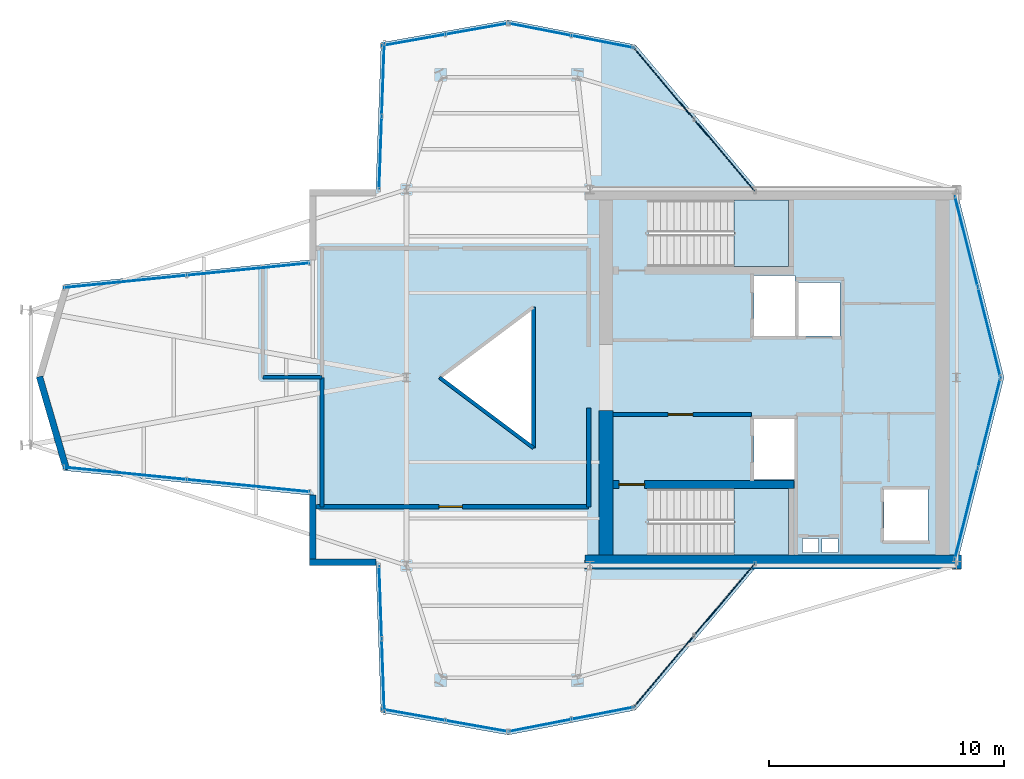
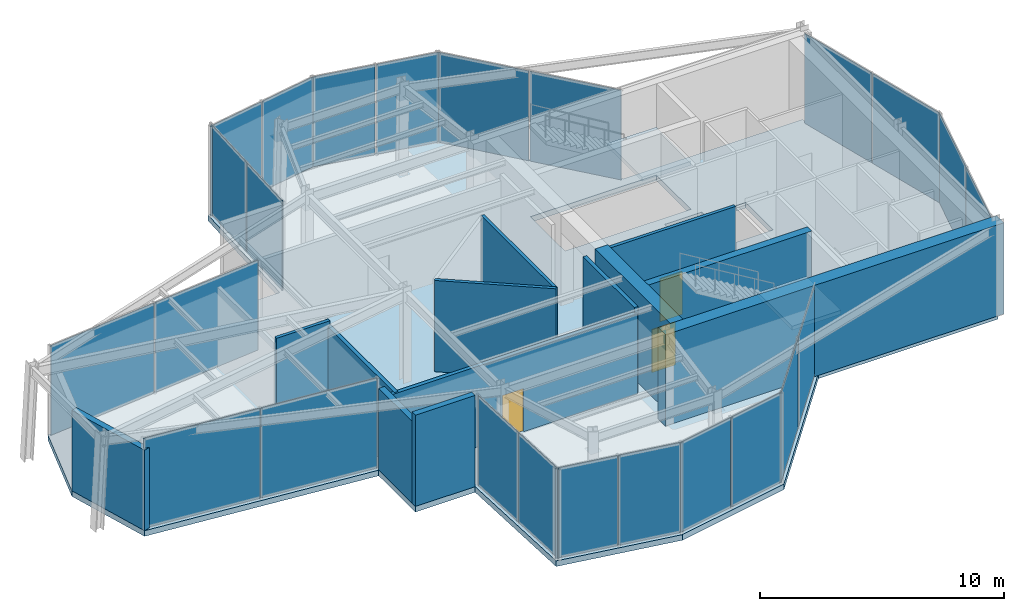
# One storey, part 9 of 15: 24 plates, 13 walls, 3 doors, 3 slabs, 3 openings, 14 elements without a shape of their own.
"""IFC4 building model written with IfcOpenShell, lengths in metres."""

from ifc_helpers import new_model, si_unit, direction, frame, frame_2d, origin, origin_2d, place, context, subcontext, project, spatial, polyline, rectangle, outline, extrude, material, layer, layer_set, type_object, element, fill, aggregate, save


model = new_model("IFC4")

# Units and contexts
model_context = context("Model", 3, precision=1e-05, world=origin(), true_north=direction((0.0, 1.0)))
body_context = subcontext(model_context, "Body", "Model", "MODEL_VIEW")
ifc_project = project(units=[si_unit("LENGTHUNIT", "METRE"), si_unit("AREAUNIT", "SQUARE_METRE"), si_unit("VOLUMEUNIT", "CUBIC_METRE"), si_unit("PLANEANGLEUNIT", "RADIAN"), si_unit("MASSUNIT", "GRAM", prefix="KILO")], contexts=[model_context])

# Site, building, storey
site_placement = place(None, origin())
site = spatial("IfcSite", under=ifc_project, at=site_placement, CompositionType="ELEMENT")
building_placement = place(site_placement, origin())
building = spatial("IfcBuilding", under=site, at=building_placement, Name="Veymaron Broadcast Tower", CompositionType="ELEMENT")
storey_placement = place(building_placement, frame((0.0, 0.0, 262.050048828125)))
storey = spatial("IfcBuildingStorey", under=building, at=storey_placement, Name="L61", CompositionType="ELEMENT", Elevation=262.050048828125)

# Curtain wall, plates
ifc_material_1 = material(Name="Anodised aluminium AA 6063-T6 and laminated low-E dark glass", Category="aluminium")
ifc_layer_1 = layer(ifc_material_1, 0.179931640625)
ifc_layer_set_1 = layer_set([ifc_layer_1], Name="Anodised aluminium AA 6063-T6 and laminated low-E dark glass")
curtain_wall_type = type_object("IfcCurtainWallType", Name="CW-SYS-04", PredefinedType="NOTDEFINED", material=ifc_layer_set_1)
curtain_wall_1_placement = place(storey_placement, origin())
curtain_wall_1 = element("IfcCurtainWall", 1, at=curtain_wall_1_placement, inside=storey, type_object=curtain_wall_type, Name="L61 dark-glass curtain wall CW-L61-E2-1", PredefinedType="NOTDEFINED")
ifc_material_2 = material(Name="Triple-laminated solar-control dark glass IGU 36 mm", Category="glass")
ifc_layer_2 = layer(ifc_material_2, 0.035888671875)
ifc_layer_set_2 = layer_set([ifc_layer_2], Name="Triple-laminated solar-control dark glass IGU 36 mm")
plate_type = type_object("IfcPlateType", Name="CW-PNL-01", PredefinedType="CURTAIN_PANEL", material=ifc_layer_set_2)
plate_1_placement = place(storey_placement, frame((55.012451171875, 18.210205078125, 0.0400390625), z_axis=(0.0, 0.0, 1.0), x_axis=(0.244359748118, 0.969684646419, 0.0)))
plate_1 = element("IfcPlate", 2, at=plate_1_placement, type_object=plate_type, Name="CW-L61-E2-1 unitised curtain panel 0", PredefinedType="CURTAIN_PANEL", context=body_context, shape_type="SweptSolid", body=[
    extrude(rectangle(XDim=3.944091796875, YDim=0.035888671875, at=origin_2d()), origin(), (0.0, 0.0, 1.0), 4.47998046875),
])
plate_2_placement = place(storey_placement, frame((55.990966796875, 22.093017578125, 0.0400390625), z_axis=(0.0, 0.0, 1.0), x_axis=(0.244359748118, 0.969684646419, 0.0)))
plate_2 = element("IfcPlate", 3, at=plate_2_placement, type_object=plate_type, Name="CW-L61-E2-1 unitised curtain panel 1", PredefinedType="CURTAIN_PANEL", context=body_context, shape_type="SweptSolid", body=[
    extrude(rectangle(XDim=3.944091796875, YDim=0.035888671875, at=origin_2d()), origin(), (0.0, 0.0, 1.0), 4.47998046875),
])
aggregate(curtain_wall_1, [plate_1, plate_2])

curtain_wall_2_placement = place(storey_placement, origin())
curtain_wall_2 = element("IfcCurtainWall", 4, at=curtain_wall_2_placement, inside=storey, type_object=curtain_wall_type, Name="L61 dark-glass curtain wall CW-L61-E3-1", PredefinedType="NOTDEFINED")
plate_3_placement = place(storey_placement, frame((55.990966796875, 25.906982421875, 0.0400390625), z_axis=(0.0, 0.0, 1.0), x_axis=(-0.244359748118, 0.969684646419, 0.0)))
plate_3 = element("IfcPlate", 5, at=plate_3_placement, type_object=plate_type, Name="CW-L61-E3-1 unitised curtain panel 0", PredefinedType="CURTAIN_PANEL", context=body_context, shape_type="SweptSolid", body=[
    extrude(rectangle(XDim=3.944091796875, YDim=0.035888671875, at=origin_2d()), origin(), (0.0, 0.0, 1.0), 4.47998046875),
])
plate_4_placement = place(storey_placement, frame((55.012451171875, 29.789794921875, 0.0400390625), z_axis=(0.0, 0.0, 1.0), x_axis=(-0.244359748118, 0.969684646419, 0.0)))
plate_4 = element("IfcPlate", 6, at=plate_4_placement, type_object=plate_type, Name="CW-L61-E3-1 unitised curtain panel 1", PredefinedType="CURTAIN_PANEL", context=body_context, shape_type="SweptSolid", body=[
    extrude(rectangle(XDim=3.944091796875, YDim=0.035888671875, at=origin_2d()), origin(), (0.0, 0.0, 1.0), 4.47998046875),
])
aggregate(curtain_wall_2, [plate_3, plate_4])

curtain_wall_3_placement = place(storey_placement, origin())
curtain_wall_3 = element("IfcCurtainWall", 7, at=curtain_wall_3_placement, inside=storey, type_object=curtain_wall_type, Name="L61 dark-glass curtain wall CW-L61-E5-1", PredefinedType="NOTDEFINED")
plate_5_placement = place(storey_placement, frame((44.722900390625, 33.44775390625, 0.0400390625), z_axis=(0.0, 0.0, 1.0), x_axis=(-0.644390598453, 0.764696512759, 0.0)))
plate_5 = element("IfcPlate", 8, at=plate_5_placement, type_object=plate_type, Name="CW-L61-E5-1 unitised curtain panel 0", PredefinedType="CURTAIN_PANEL", context=body_context, shape_type="SweptSolid", body=[
    extrude(rectangle(XDim=3.96240234375, YDim=0.035888671875, at=origin_2d()), origin(), (0.0, 0.0, 1.0), 4.47998046875),
])
plate_6_placement = place(storey_placement, frame((42.130615234375, 36.523681640625, 0.0400390625), z_axis=(0.0, 0.0, 1.0), x_axis=(-0.644390598453, 0.764696512759, 0.0)))
plate_6 = element("IfcPlate", 9, at=plate_6_placement, type_object=plate_type, Name="CW-L61-E5-1 unitised curtain panel 1", PredefinedType="CURTAIN_PANEL", context=body_context, shape_type="SweptSolid", body=[
    extrude(rectangle(XDim=3.96240234375, YDim=0.035888671875, at=origin_2d()), origin(), (0.0, 0.0, 1.0), 4.47998046875),
])
aggregate(curtain_wall_3, [plate_5, plate_6])

curtain_wall_4_placement = place(storey_placement, origin())
curtain_wall_4 = element("IfcCurtainWall", 10, at=curtain_wall_4_placement, inside=storey, type_object=curtain_wall_type, Name="L61 dark-glass curtain wall CW-L61-E6-1", PredefinedType="NOTDEFINED")
plate_7_placement = place(storey_placement, frame((39.5615234375, 38.278564453125, 0.0400390625), z_axis=(0.0, 0.0, 1.0), x_axis=(-0.981503759704, 0.191442862723, 0.0)))
plate_7 = element("IfcPlate", 11, at=plate_7_placement, type_object=plate_type, Name="CW-L61-E6-1 unitised curtain panel 0", PredefinedType="CURTAIN_PANEL", context=body_context, shape_type="SweptSolid", body=[
    extrude(rectangle(XDim=2.697998046875, YDim=0.035888671875, at=origin_2d()), origin(), (0.0, 0.0, 1.0), 4.47998046875),
])
plate_8_placement = place(storey_placement, frame((36.8544921875, 38.806640625, 0.0400390625), z_axis=(0.0, 0.0, 1.0), x_axis=(-0.981503759704, 0.191442862723, 0.0)))
plate_8 = element("IfcPlate", 12, at=plate_8_placement, type_object=plate_type, Name="CW-L61-E6-1 unitised curtain panel 1", PredefinedType="CURTAIN_PANEL", context=body_context, shape_type="SweptSolid", body=[
    extrude(rectangle(XDim=2.697998046875, YDim=0.035888671875, at=origin_2d()), origin(), (0.0, 0.0, 1.0), 4.47998046875),
])
aggregate(curtain_wall_4, [plate_7, plate_8])

curtain_wall_5_placement = place(storey_placement, origin())
curtain_wall_5 = element("IfcCurtainWall", 13, at=curtain_wall_5_placement, inside=storey, type_object=curtain_wall_type, Name="L61 dark-glass curtain wall CW-L61-E7-1", PredefinedType="NOTDEFINED")
plate_9_placement = place(storey_placement, frame((34.198974609375, 38.830078125, 0.0400390625), z_axis=(0.0, 0.0, 1.0), x_axis=(-0.984640609019, -0.174593445095, 0.0)))
plate_9 = element("IfcPlate", 14, at=plate_9_placement, type_object=plate_type, Name="CW-L61-E7-1 unitised curtain panel 0", PredefinedType="CURTAIN_PANEL", context=body_context, shape_type="SweptSolid", body=[
    extrude(rectangle(XDim=2.689208984375, YDim=0.035888671875, at=origin_2d()), origin(), (0.0, 0.0, 1.0), 4.47998046875),
])
plate_10_placement = place(storey_placement, frame((31.491943359375, 38.35009765625, 0.0400390625), z_axis=(0.0, 0.0, 1.0), x_axis=(-0.984640609019, -0.174593445095, 0.0)))
plate_10 = element("IfcPlate", 15, at=plate_10_placement, type_object=plate_type, Name="CW-L61-E7-1 unitised curtain panel 1", PredefinedType="CURTAIN_PANEL", context=body_context, shape_type="SweptSolid", body=[
    extrude(rectangle(XDim=2.689208984375, YDim=0.035888671875, at=origin_2d()), origin(), (0.0, 0.0, 1.0), 4.47998046875),
])
aggregate(curtain_wall_5, [plate_9, plate_10])

curtain_wall_6_placement = place(storey_placement, origin())
curtain_wall_6 = element("IfcCurtainWall", 16, at=curtain_wall_6_placement, inside=storey, type_object=curtain_wall_type, Name="L61 dark-glass curtain wall CW-L61-E8-1", PredefinedType="NOTDEFINED")
plate_11_placement = place(storey_placement, frame((30.19873046875, 36.680908203125, 0.0400390625), z_axis=(0.0, 0.0, 1.0), x_axis=(-0.035475098677, -0.99937056059, 0.0)))
plate_11 = element("IfcPlate", 17, at=plate_11_placement, type_object=plate_type, Name="CW-L61-E8-1 unitised curtain panel 0", PredefinedType="CURTAIN_PANEL", context=body_context, shape_type="SweptSolid", body=[
    extrude(rectangle(XDim=3.06591796875, YDim=0.035888671875, at=origin_2d()), origin(), (0.0, 0.0, 1.0), 4.47998046875),
])
plate_12_placement = place(storey_placement, frame((30.087646484375, 33.556884765625, 0.0400390625), z_axis=(0.0, 0.0, 1.0), x_axis=(-0.035475098677, -0.99937056059, 0.0)))
plate_12 = element("IfcPlate", 18, at=plate_12_placement, type_object=plate_type, Name="CW-L61-E8-1 unitised curtain panel 1", PredefinedType="CURTAIN_PANEL", context=body_context, shape_type="SweptSolid", body=[
    extrude(rectangle(XDim=3.06591796875, YDim=0.035888671875, at=origin_2d()), origin(), (0.0, 0.0, 1.0), 4.47998046875),
])
aggregate(curtain_wall_6, [plate_11, plate_12])

curtain_wall_7_placement = place(storey_placement, origin())
curtain_wall_7 = element("IfcCurtainWall", 19, at=curtain_wall_7_placement, inside=storey, type_object=curtain_wall_type, Name="L61 dark-glass curtain wall CW-L61-E11-1", PredefinedType="NOTDEFINED")
plate_13_placement = place(storey_placement, frame((24.4619140625, 28.603515625, 0.0400390625), z_axis=(0.0, 0.0, 1.0), x_axis=(-0.995013879707, -0.099736548921, 0.0)))
plate_13 = element("IfcPlate", 20, at=plate_13_placement, type_object=plate_type, Name="CW-L61-E11-1 unitised curtain panel 0", PredefinedType="CURTAIN_PANEL", context=body_context, shape_type="SweptSolid", body=[
    extrude(rectangle(XDim=5.1982421875, YDim=0.035888671875, at=origin_2d()), origin(), (0.0, 0.0, 1.0), 4.47998046875),
])
plate_14_placement = place(storey_placement, frame((19.22998046875, 28.0791015625, 0.0400390625), z_axis=(0.0, 0.0, 1.0), x_axis=(-0.995013879707, -0.099736548921, 0.0)))
plate_14 = element("IfcPlate", 21, at=plate_14_placement, type_object=plate_type, Name="CW-L61-E11-1 unitised curtain panel 1", PredefinedType="CURTAIN_PANEL", context=body_context, shape_type="SweptSolid", body=[
    extrude(rectangle(XDim=5.1982421875, YDim=0.035888671875, at=origin_2d()), origin(), (0.0, 0.0, 1.0), 4.47998046875),
])
aggregate(curtain_wall_7, [plate_13, plate_14])

curtain_wall_8_placement = place(storey_placement, origin())
curtain_wall_8 = element("IfcCurtainWall", 22, at=curtain_wall_8_placement, inside=storey, type_object=curtain_wall_type, Name="L61 dark-glass curtain wall CW-L61-E14-1", PredefinedType="NOTDEFINED")
plate_15_placement = place(storey_placement, frame((19.22998046875, 19.9208984375, 0.0400390625), z_axis=(0.0, 0.0, 1.0), x_axis=(0.995013879707, -0.099736548921, 0.0)))
plate_15 = element("IfcPlate", 23, at=plate_15_placement, type_object=plate_type, Name="CW-L61-E14-1 unitised curtain panel 0", PredefinedType="CURTAIN_PANEL", context=body_context, shape_type="SweptSolid", body=[
    extrude(rectangle(XDim=5.1982421875, YDim=0.035888671875, at=origin_2d()), origin(), (0.0, 0.0, 1.0), 4.47998046875),
])
plate_16_placement = place(storey_placement, frame((24.4619140625, 19.396484375, 0.0400390625), z_axis=(0.0, 0.0, 1.0), x_axis=(0.995013879707, -0.099736548921, 0.0)))
plate_16 = element("IfcPlate", 24, at=plate_16_placement, type_object=plate_type, Name="CW-L61-E14-1 unitised curtain panel 1", PredefinedType="CURTAIN_PANEL", context=body_context, shape_type="SweptSolid", body=[
    extrude(rectangle(XDim=5.1982421875, YDim=0.035888671875, at=origin_2d()), origin(), (0.0, 0.0, 1.0), 4.47998046875),
])
aggregate(curtain_wall_8, [plate_15, plate_16])

curtain_wall_9_placement = place(storey_placement, origin())
curtain_wall_9 = element("IfcCurtainWall", 25, at=curtain_wall_9_placement, inside=storey, type_object=curtain_wall_type, Name="L61 dark-glass curtain wall CW-L61-E17-1", PredefinedType="NOTDEFINED")
plate_17_placement = place(storey_placement, frame((30.087646484375, 14.443115234375, 0.0400390625), z_axis=(0.0, 0.0, 1.0), x_axis=(0.035475098677, -0.99937056059, 0.0)))
plate_17 = element("IfcPlate", 26, at=plate_17_placement, type_object=plate_type, Name="CW-L61-E17-1 unitised curtain panel 0", PredefinedType="CURTAIN_PANEL", context=body_context, shape_type="SweptSolid", body=[
    extrude(rectangle(XDim=3.06591796875, YDim=0.035888671875, at=origin_2d()), origin(), (0.0, 0.0, 1.0), 4.47998046875),
])
plate_18_placement = place(storey_placement, frame((30.19873046875, 11.319091796875, 0.0400390625), z_axis=(0.0, 0.0, 1.0), x_axis=(0.035475098677, -0.99937056059, 0.0)))
plate_18 = element("IfcPlate", 27, at=plate_18_placement, type_object=plate_type, Name="CW-L61-E17-1 unitised curtain panel 1", PredefinedType="CURTAIN_PANEL", context=body_context, shape_type="SweptSolid", body=[
    extrude(rectangle(XDim=3.06591796875, YDim=0.035888671875, at=origin_2d()), origin(), (0.0, 0.0, 1.0), 4.47998046875),
])
aggregate(curtain_wall_9, [plate_17, plate_18])

curtain_wall_10_placement = place(storey_placement, origin())
curtain_wall_10 = element("IfcCurtainWall", 28, at=curtain_wall_10_placement, inside=storey, type_object=curtain_wall_type, Name="L61 dark-glass curtain wall CW-L61-E18-1", PredefinedType="NOTDEFINED")
plate_19_placement = place(storey_placement, frame((31.491943359375, 9.64990234375, 0.0400390625), z_axis=(0.0, 0.0, 1.0), x_axis=(0.984640609019, -0.174593445095, 0.0)))
plate_19 = element("IfcPlate", 29, at=plate_19_placement, type_object=plate_type, Name="CW-L61-E18-1 unitised curtain panel 0", PredefinedType="CURTAIN_PANEL", context=body_context, shape_type="SweptSolid", body=[
    extrude(rectangle(XDim=2.689208984375, YDim=0.035888671875, at=origin_2d()), origin(), (0.0, 0.0, 1.0), 4.47998046875),
])
plate_20_placement = place(storey_placement, frame((34.198974609375, 9.169921875, 0.0400390625), z_axis=(0.0, 0.0, 1.0), x_axis=(0.984640609019, -0.174593445095, 0.0)))
plate_20 = element("IfcPlate", 30, at=plate_20_placement, type_object=plate_type, Name="CW-L61-E18-1 unitised curtain panel 1", PredefinedType="CURTAIN_PANEL", context=body_context, shape_type="SweptSolid", body=[
    extrude(rectangle(XDim=2.689208984375, YDim=0.035888671875, at=origin_2d()), origin(), (0.0, 0.0, 1.0), 4.47998046875),
])
aggregate(curtain_wall_10, [plate_19, plate_20])

curtain_wall_11_placement = place(storey_placement, origin())
curtain_wall_11 = element("IfcCurtainWall", 31, at=curtain_wall_11_placement, inside=storey, type_object=curtain_wall_type, Name="L61 dark-glass curtain wall CW-L61-E19-1", PredefinedType="NOTDEFINED")
plate_21_placement = place(storey_placement, frame((36.8544921875, 9.193359375, 0.0400390625), z_axis=(0.0, 0.0, 1.0), x_axis=(0.981503759704, 0.191442862723, 0.0)))
plate_21 = element("IfcPlate", 32, at=plate_21_placement, type_object=plate_type, Name="CW-L61-E19-1 unitised curtain panel 0", PredefinedType="CURTAIN_PANEL", context=body_context, shape_type="SweptSolid", body=[
    extrude(rectangle(XDim=2.697998046875, YDim=0.035888671875, at=origin_2d()), origin(), (0.0, 0.0, 1.0), 4.47998046875),
])
plate_22_placement = place(storey_placement, frame((39.5615234375, 9.721435546875, 0.0400390625), z_axis=(0.0, 0.0, 1.0), x_axis=(0.981503759704, 0.191442862723, 0.0)))
plate_22 = element("IfcPlate", 33, at=plate_22_placement, type_object=plate_type, Name="CW-L61-E19-1 unitised curtain panel 1", PredefinedType="CURTAIN_PANEL", context=body_context, shape_type="SweptSolid", body=[
    extrude(rectangle(XDim=2.697998046875, YDim=0.035888671875, at=origin_2d()), origin(), (0.0, 0.0, 1.0), 4.47998046875),
])
aggregate(curtain_wall_11, [plate_21, plate_22])

curtain_wall_12_placement = place(storey_placement, origin())
curtain_wall_12 = element("IfcCurtainWall", 34, at=curtain_wall_12_placement, inside=storey, type_object=curtain_wall_type, Name="L61 dark-glass curtain wall CW-L61-E20-1", PredefinedType="NOTDEFINED")
plate_23_placement = place(storey_placement, frame((42.130615234375, 11.476318359375, 0.0400390625), z_axis=(0.0, 0.0, 1.0), x_axis=(0.644390598453, 0.764696512759, 0.0)))
plate_23 = element("IfcPlate", 35, at=plate_23_placement, type_object=plate_type, Name="CW-L61-E20-1 unitised curtain panel 0", PredefinedType="CURTAIN_PANEL", context=body_context, shape_type="SweptSolid", body=[
    extrude(rectangle(XDim=3.96240234375, YDim=0.035888671875, at=origin_2d()), origin(), (0.0, 0.0, 1.0), 4.47998046875),
])
plate_24_placement = place(storey_placement, frame((44.722900390625, 14.55224609375, 0.0400390625), z_axis=(0.0, 0.0, 1.0), x_axis=(0.644390598453, 0.764696512759, 0.0)))
plate_24 = element("IfcPlate", 36, at=plate_24_placement, type_object=plate_type, Name="CW-L61-E20-1 unitised curtain panel 1", PredefinedType="CURTAIN_PANEL", context=body_context, shape_type="SweptSolid", body=[
    extrude(rectangle(XDim=3.96240234375, YDim=0.035888671875, at=origin_2d()), origin(), (0.0, 0.0, 1.0), 4.47998046875),
])
aggregate(curtain_wall_12, [plate_23, plate_24])

# Slab
ifc_material_3 = material(Name="Concrete C40/50", Category="concrete")
ifc_layer_3 = layer(ifc_material_3, 0.280029296875)
ifc_layer_set_3 = layer_set([ifc_layer_3], Name="Concrete C40/50")
slab_type_1 = type_object("IfcSlabType", Name="SLAB-FS3", PredefinedType="FLOOR", material=ifc_layer_set_3)
slab_1_placement = place(storey_placement, frame((0.0, 0.0, -0.280029296875)))
element("IfcSlab", 37, at=slab_1_placement, inside=storey, type_object=slab_type_1, Name="L61 structural floor slab", PredefinedType="FLOOR", context=body_context, shape_type="SweptSolid", body=[
    extrude(outline(polyline([(46.1259765625, 16.0), (54.60009765625, 16.0), (56.615966796875, 24.0), (54.60009765625, 32.0), (46.1259765625, 32.0), (40.94189453125, 38.152099609375), (35.528076171875, 39.2080078125), (30.1142578125, 38.248046875), (29.892333984375, 32.0), (27.06396484375, 32.0), (27.06396484375, 29.005126953125), (16.60009765625, 27.956298828125), (15.447998046875, 24.0), (16.60009765625, 20.043701171875), (27.06396484375, 18.994873046875), (27.06396484375, 16.0), (29.892333984375, 16.0), (30.1142578125, 9.751953125), (35.528076171875, 8.7919921875), (40.94189453125, 9.847900390625), (46.1259765625, 16.0)]), holes=[polyline([(45.969970703125, 28.330078125), (47.72998046875, 28.330078125), (47.72998046875, 25.77001953125), (45.969970703125, 25.77001953125), (45.969970703125, 28.330078125)]), polyline([(45.969970703125, 22.22998046875), (47.72998046875, 22.22998046875), (47.72998046875, 19.669921875), (45.969970703125, 19.669921875), (45.969970703125, 22.22998046875)]), polyline([(47.8701171875, 28.030029296875), (49.6298828125, 28.030029296875), (49.6298828125, 25.77001953125), (47.8701171875, 25.77001953125), (47.8701171875, 28.030029296875)]), polyline([(51.52001953125, 19.22998046875), (53.3798828125, 19.22998046875), (53.3798828125, 17.070068359375), (51.52001953125, 17.070068359375), (51.52001953125, 19.22998046875)]), polyline([(48.050048828125, 17.159912109375), (48.719970703125, 17.159912109375), (48.719970703125, 16.56005859375), (48.050048828125, 16.56005859375), (48.050048828125, 17.159912109375)]), polyline([(48.8798828125, 17.159912109375), (49.550048828125, 17.159912109375), (49.550048828125, 16.56005859375), (48.8798828125, 16.56005859375), (48.8798828125, 17.159912109375)]), polyline([(36.60009765625, 27.0), (36.60009765625, 21.0), (32.60009765625, 24.0), (36.60009765625, 27.0)]), polyline([(41.489990234375, 31.550048828125), (47.43994140625, 31.550048828125), (47.43994140625, 28.72998046875), (41.489990234375, 28.72998046875), (41.489990234375, 31.550048828125)]), polyline([(41.489990234375, 19.27001953125), (47.43994140625, 19.27001953125), (47.43994140625, 16.449951171875), (41.489990234375, 16.449951171875), (41.489990234375, 19.27001953125)])]), origin(), (0.0, 0.0, 1.0), 0.280029296875),
])

# Stair, slab
ifc_material_4 = material(Name="Concrete C50/60", Category="concrete")
stair_type_1 = type_object("IfcStairType", Name="STAIR-CORE-1", PredefinedType="HALF_TURN_STAIR", material=ifc_material_4)
stair_1_placement = place(storey_placement, origin())
stair_1 = element("IfcStair", 38, at=stair_1_placement, inside=storey, type_object=stair_type_1, Name="L61 North protected dog-leg exit stair ST1", PredefinedType="HALF_TURN_STAIR")
ifc_layer_4 = layer(ifc_material_4, 0.199951171875)
ifc_layer_set_4 = layer_set([ifc_layer_4], Name="Concrete C50/60")
slab_type_2 = type_object("IfcSlabType", Name="SLAB-STAIR-LDG", PredefinedType="LANDING", material=ifc_layer_set_4)
slab_2_placement = place(storey_placement, frame((0.0, 0.0, 2.199951171875)))
slab_2 = element("IfcSlab", 39, at=slab_2_placement, type_object=slab_type_2, Name="ST1 landing 1", PredefinedType="LANDING", context=body_context, shape_type="SweptSolid", body=[
    extrude(outline(polyline([(45.135009765625, 28.72998046875), (47.43994140625, 28.72998046875), (47.43994140625, 31.550048828125), (45.135009765625, 31.550048828125), (45.135009765625, 28.72998046875)])), origin(), (0.0, 0.0, 1.0), 0.199951171875),
])
aggregate(stair_1, [slab_2])

stair_type_2 = type_object("IfcStairType", Name="STAIR-CORE-2", PredefinedType="HALF_TURN_STAIR", material=ifc_material_4)
stair_2_placement = place(storey_placement, origin())
stair_2 = element("IfcStair", 40, at=stair_2_placement, inside=storey, type_object=stair_type_2, Name="L61 South protected dog-leg exit stair ST2", PredefinedType="HALF_TURN_STAIR")
slab_3_placement = place(storey_placement, frame((0.0, 0.0, 2.199951171875)))
slab_3 = element("IfcSlab", 41, at=slab_3_placement, type_object=slab_type_2, Name="ST2 landing 1", PredefinedType="LANDING", context=body_context, shape_type="SweptSolid", body=[
    extrude(outline(polyline([(45.135009765625, 16.449951171875), (47.43994140625, 16.449951171875), (47.43994140625, 19.27001953125), (45.135009765625, 19.27001953125), (45.135009765625, 16.449951171875)])), origin(), (0.0, 0.0, 1.0), 0.199951171875),
])
aggregate(stair_2, [slab_3])

# Walls
ifc_material_5 = material(Name="Precast concrete C40/50", Category="concrete")
ifc_layer_5 = layer(ifc_material_5, 0.280029296875)
ifc_layer_set_5 = layer_set([ifc_layer_5], Name="Precast concrete C40/50")
wall_type_1 = type_object("IfcWallType", Name="WALL-EXT-280", PredefinedType="STANDARD", material=ifc_layer_set_5)
wall_1_placement = place(storey_placement, frame((15.58251953125, 24.0390625, 0.0), z_axis=(0.0, 0.0, 1.0), x_axis=(0.2795381076, -0.960134598064, 0.0)))
element("IfcWall", 42, at=wall_1_placement, inside=storey, type_object=wall_type_1, Name="L61 notched corner facade pier 13-1", PredefinedType="STANDARD", context=body_context, shape_type="SweptSolid", body=[
    extrude(rectangle(XDim=4.12060546875, YDim=0.280029296875, at=frame_2d((2.060302734375, 0.0))), origin(), (0.0, 0.0, 1.0), 4.02001953125),
])
wall_2_placement = place(storey_placement, frame((27.2041015625, 18.994873046875, 0.0), z_axis=(0.0, 0.0, 1.0), x_axis=(0.0, -1.0, 0.0)))
element("IfcWall", 43, at=wall_2_placement, inside=storey, type_object=wall_type_1, Name="L61 notched corner facade pier 15-1", PredefinedType="STANDARD", context=body_context, shape_type="SweptSolid", body=[
    extrude(rectangle(XDim=2.994873046875, YDim=0.280029296875, at=frame_2d((1.49755859375, 0.0))), origin(), (0.0, 0.0, 1.0), 4.0888671875),
])
wall_3_placement = place(storey_placement, frame((27.06396484375, 16.139892578125, 0.0), z_axis=(0.0, 0.0, 1.0), x_axis=(1.0, 0.0, 0.0)))
element("IfcWall", 44, at=wall_3_placement, inside=storey, type_object=wall_type_1, Name="L61 notched corner facade pier 16-1", PredefinedType="STANDARD", context=body_context, shape_type="SweptSolid", body=[
    extrude(rectangle(XDim=2.828369140625, YDim=0.280029296875, at=frame_2d((1.4140625, 0.0))), origin(), (0.0, 0.0, 1.0), 4.56005859375),
])

# Wall, opening, door
ifc_material_6 = material(Name="Gypsum fireboard and steel stud framing", Category="steel")
ifc_layer_6 = layer(ifc_material_6, 0.14990234375)
ifc_layer_set_6 = layer_set([ifc_layer_6], Name="Gypsum fireboard and steel stud framing")
wall_type_2 = type_object("IfcWallType", Name="WALL-FIRE-150", PredefinedType="PARTITIONING", material=ifc_layer_set_6)
wall_4_placement = place(storey_placement, frame((39.97998046875, 22.425048828125, 0.0), z_axis=(0.0, 0.0, 1.0), x_axis=(1.0, 0.0, 0.0)))
wall_4 = element("IfcWall", 45, at=wall_4_placement, inside=storey, type_object=wall_type_2, Name="L61 partition IW-L61-FFLS-N", PredefinedType="PARTITIONING", context=body_context, shape_type="SweptSolid", body=[
    extrude(rectangle(XDim=5.89990234375, YDim=0.14990234375, at=frame_2d((2.949951171875, 0.0))), origin(), (0.0, 0.0, 1.0), 4.56005859375),
])
opening_1_placement = place(wall_4_placement, frame((2.35009765625, 0.0, 0.0)))
opening_1 = element("IfcOpeningElement", 46, at=opening_1_placement, cuts=wall_4, Name="Opening ID-FL1", PredefinedType="OPENING", context=body_context, shape_type="SweptSolid", body=[
    extrude(rectangle(XDim=1.050048828125, YDim=2.14990234375, at=frame_2d((0.52490234375, 1.074951171875))), frame((0.0, 0.0849609375, 0.0), z_axis=(0.0, -1.0, 0.0), x_axis=(1.0, 0.0, 0.0)), (0.0, 0.0, 1.0), 0.169921875),
])
ifc_material_7 = material(Name="Fire-rated painted hollow steel ASTM A653", Category="steel")
door_type_1 = type_object("IfcDoorType", Name="DOOR-FIRE-1050", OperationType="NOTDEFINED", PredefinedType="DOOR", material=ifc_material_7)
door_1_placement = place(opening_1_placement, frame((1.050048828125, 0.0, 0.0), z_axis=(0.0, 0.0, 1.0), x_axis=(-1.0, 0.0, 0.0)))
door_1 = element("IfcDoor", 47, at=door_1_placement, inside=storey, type_object=door_type_1, Name="L61 door DR-L61-FFLS", OperationType="SINGLE_SWING_RIGHT", OverallHeight=2.14990234375, OverallWidth=1.050048828125, PredefinedType="DOOR", context=body_context, shape_type="SweptSolid", body=[
    extrude(rectangle(XDim=1.050048828125, YDim=2.14990234375, at=frame_2d((0.52490234375, 1.074951171875))), frame((0.0, 0.02490234375, 0.0), z_axis=(0.0, -1.0, 0.0), x_axis=(1.0, 0.0, 0.0)), (0.0, 0.0, 1.0), 0.050048828125),
])
fill(opening_1, door_1)

ifc_layer_7 = layer(ifc_material_3, 0.179931640625)
ifc_layer_set_7 = layer_set([ifc_layer_7], Name="Concrete C40/50")
wall_type_3 = type_object("IfcWallType", Name="WALL-FIRE-180", PredefinedType="SOLIDWALL", material=ifc_layer_set_7)
wall_5_placement = place(storey_placement, frame((27.2041015625, 18.5, 0.0), z_axis=(0.0, 0.0, 1.0), x_axis=(1.0, 0.0, 0.0)))
wall_5 = element("IfcWall", 48, at=wall_5_placement, inside=storey, type_object=wall_type_3, Name="L61 partition IW-L61-P01", PredefinedType="SOLIDWALL", context=body_context, shape_type="SweptSolid", body=[
    extrude(rectangle(XDim=11.745849609375, YDim=0.179931640625, at=frame_2d((5.873046875, 0.0))), origin(), (0.0, 0.0, 1.0), 4.02001953125),
])
opening_2_placement = place(wall_5_placement, frame((5.373046875, 0.0, 0.0)))
opening_2 = element("IfcOpeningElement", 49, at=opening_2_placement, cuts=wall_5, Name="Opening ID-RM3", PredefinedType="OPENING", context=body_context, shape_type="SweptSolid", body=[
    extrude(rectangle(XDim=1.0, YDim=2.14990234375, at=frame_2d((0.5, 1.074951171875))), frame((0.0, 0.10009765625, 0.0), z_axis=(0.0, -1.0, 0.0), x_axis=(1.0, 0.0, 0.0)), (0.0, 0.0, 1.0), 0.199951171875),
])
ifc_material_8 = material(Name="Acoustic solid-core European oak veneer timber", Category="wood")
door_type_2 = type_object("IfcDoorType", Name="DOOR-INT-1000", OperationType="NOTDEFINED", PredefinedType="DOOR", material=ifc_material_8)
door_2_placement = place(opening_2_placement, frame((1.0, 0.0, 0.0), z_axis=(0.0, 0.0, 1.0), x_axis=(-1.0, 0.0, 0.0)))
door_2 = element("IfcDoor", 50, at=door_2_placement, inside=storey, type_object=door_type_2, Name="L61 door DR-L61-P01", OperationType="SINGLE_SWING_RIGHT", OverallHeight=2.14990234375, OverallWidth=1.0, PredefinedType="DOOR", context=body_context, shape_type="SweptSolid", body=[
    extrude(rectangle(XDim=1.0, YDim=2.14990234375, at=frame_2d((0.5, 1.074951171875))), frame((0.0, 0.02490234375, 0.0), z_axis=(0.0, -1.0, 0.0), x_axis=(1.0, 0.0, 0.0)), (0.0, 0.0, 1.0), 0.050048828125),
])
fill(opening_2, door_2)

# Walls
wall_6_placement = place(storey_placement, frame((27.60009765625, 18.5, 0.0), z_axis=(0.0, 0.0, 1.0), x_axis=(0.0, 1.0, 0.0)))
element("IfcWall", 51, at=wall_6_placement, inside=storey, type_object=wall_type_3, Name="L61 partition IW-L61-P02", PredefinedType="SOLIDWALL", context=body_context, shape_type="SweptSolid", body=[
    extrude(rectangle(XDim=5.5, YDim=0.179931640625, at=frame_2d((2.75, 0.0))), origin(), (0.0, 0.0, 1.0), 4.02001953125),
])
wall_7_placement = place(storey_placement, frame((38.949951171875, 18.5, 0.0), z_axis=(0.0, 0.0, 1.0), x_axis=(0.0, 1.0, 0.0)))
element("IfcWall", 52, at=wall_7_placement, inside=storey, type_object=wall_type_3, Name="L61 partition IW-L61-P03", PredefinedType="SOLIDWALL", context=body_context, shape_type="SweptSolid", body=[
    extrude(rectangle(XDim=4.199951171875, YDim=0.179931640625, at=frame_2d((2.10009765625, 0.0))), origin(), (0.0, 0.0, 1.0), 4.2900390625),
])
ifc_material_9 = material(Name="Fire-rated laminated glass in aluminium frame", Category="aluminium")
ifc_layer_8 = layer(ifc_material_9, 0.14990234375)
ifc_layer_set_8 = layer_set([ifc_layer_8], Name="Fire-rated laminated glass in aluminium frame")
wall_type_4 = type_object("IfcWallType", Name="WALL-GLZ-150", PredefinedType="MOVABLE", material=ifc_layer_set_8)
wall_8_placement = place(storey_placement, frame((25.083984375, 24.0, 0.0), z_axis=(0.0, 0.0, 1.0), x_axis=(1.0, 0.0, 0.0)))
element("IfcWall", 53, at=wall_8_placement, inside=storey, type_object=wall_type_4, Name="L61 partition IW-L61-P08", PredefinedType="MOVABLE", context=body_context, shape_type="SweptSolid", body=[
    extrude(rectangle(XDim=2.51611328125, YDim=0.14990234375, at=frame_2d((1.258056640625, 0.0))), origin(), (0.0, 0.0, 1.0), 4.2900390625),
])
wall_9_placement = place(storey_placement, frame((32.60009765625, 24.0, 0.0), z_axis=(0.0, 0.0, 1.0), x_axis=(0.8, -0.6, 0.0)))
element("IfcWall", 54, at=wall_9_placement, inside=storey, type_object=wall_type_4, Name="L61 partition IW-L61-ATR1", PredefinedType="MOVABLE", context=body_context, shape_type="SweptSolid", body=[
    extrude(rectangle(XDim=5.0, YDim=0.14990234375, at=frame_2d((2.5, 0.0))), origin(), (0.0, 0.0, 1.0), 4.56005859375),
])
wall_10_placement = place(storey_placement, frame((36.60009765625, 21.0, 0.0), z_axis=(0.0, 0.0, 1.0), x_axis=(0.0, 1.0, 0.0)))
element("IfcWall", 55, at=wall_10_placement, inside=storey, type_object=wall_type_4, Name="L61 partition IW-L61-ATR2", PredefinedType="MOVABLE", context=body_context, shape_type="SweptSolid", body=[
    extrude(rectangle(XDim=6.0, YDim=0.14990234375, at=frame_2d((3.0, 0.0))), origin(), (0.0, 0.0, 1.0), 4.56005859375),
])

# Wall, opening, door
ifc_layer_9 = layer(ifc_material_4, 0.35009765625)
ifc_layer_set_9 = layer_set([ifc_layer_9], Name="Concrete C50/60")
wall_type_5 = type_object("IfcWallType", Name="WALL-SHEAR-350", PredefinedType="SHEAR", material=ifc_layer_set_9)
wall_11_placement = place(storey_placement, frame((39.97998046875, 19.445068359375, 0.0), z_axis=(0.0, 0.0, 1.0), x_axis=(1.0, 0.0, 0.0)))
wall_11 = element("IfcWall", 56, at=wall_11_placement, inside=storey, type_object=wall_type_5, Name="L61 Core Wall south stair spine", PredefinedType="SHEAR", context=body_context, shape_type="SweptSolid", body=[
    extrude(rectangle(XDim=7.7099609375, YDim=0.35009765625, at=frame_2d((3.85498046875, 0.0))), origin(), (0.0, 0.0, 1.0), 4.56005859375),
])
opening_3_placement = place(wall_11_placement, frame((0.25, 0.0, 0.0)))
opening_3 = element("IfcOpeningElement", 57, at=opening_3_placement, cuts=wall_11, Name="Opening ID-ST1", PredefinedType="OPENING", context=body_context, shape_type="SweptSolid", body=[
    extrude(rectangle(XDim=1.10009765625, YDim=2.14990234375, at=frame_2d((0.550048828125, 1.074951171875))), frame((0.0, 0.18505859375, 0.0), z_axis=(0.0, -1.0, 0.0), x_axis=(1.0, 0.0, 0.0)), (0.0, 0.0, 1.0), 0.3701171875),
])
door_type_3 = type_object("IfcDoorType", Name="DOOR-STAIR-1100", OperationType="NOTDEFINED", PredefinedType="DOOR", material=ifc_material_7)
door_3_placement = place(opening_3_placement, frame((1.10009765625, 0.0, 0.0), z_axis=(0.0, 0.0, 1.0), x_axis=(-1.0, 0.0, 0.0)))
door_3 = element("IfcDoor", 58, at=door_3_placement, inside=storey, type_object=door_type_3, Name="L61 exit stair ST2 fire door", OperationType="SINGLE_SWING_LEFT", OverallHeight=2.14990234375, OverallWidth=1.10009765625, PredefinedType="DOOR", context=body_context, shape_type="SweptSolid", body=[
    extrude(rectangle(XDim=1.10009765625, YDim=2.14990234375, at=frame_2d((0.550048828125, 1.074951171875))), frame((0.0, 0.02490234375, 0.0), z_axis=(0.0, -1.0, 0.0), x_axis=(1.0, 0.0, 0.0)), (0.0, 0.0, 1.0), 0.050048828125),
])
fill(opening_3, door_3)

# Walls
ifc_layer_10 = layer(ifc_material_4, 0.60009765625)
ifc_layer_set_10 = layer_set([ifc_layer_10], Name="Concrete C50/60")
wall_type_6 = type_object("IfcWallType", Name="WALL-SHEAR-600", PredefinedType="SHEAR", material=ifc_layer_set_10)
wall_12_placement = place(storey_placement, frame((38.800048828125, 16.14990234375, 0.0), z_axis=(0.0, 0.0, 1.0), x_axis=(1.0, 0.0, 0.0)))
element("IfcWall", 59, at=wall_12_placement, inside=storey, type_object=wall_type_6, Name="L61 Core Wall south shear", PredefinedType="SHEAR", context=body_context, shape_type="SweptSolid", body=[
    extrude(rectangle(XDim=16.0, YDim=0.60009765625, at=frame_2d((8.0, 0.0))), origin(), (0.0, 0.0, 1.0), 4.56005859375),
])
wall_13_placement = place(storey_placement, frame((39.679931640625, 16.449951171875, 0.0), z_axis=(0.0, 0.0, 1.0), x_axis=(0.0, 1.0, 0.0)))
element("IfcWall", 60, at=wall_13_placement, inside=storey, type_object=wall_type_6, Name="L61 Core Wall west-south shear", PredefinedType="SHEAR", context=body_context, shape_type="SweptSolid", body=[
    extrude(rectangle(XDim=6.150146484375, YDim=0.60009765625, at=frame_2d((3.0751953125, 0.0))), origin(), (0.0, 0.0, 1.0), 4.56005859375),
])

save(model, "model.ifc")
